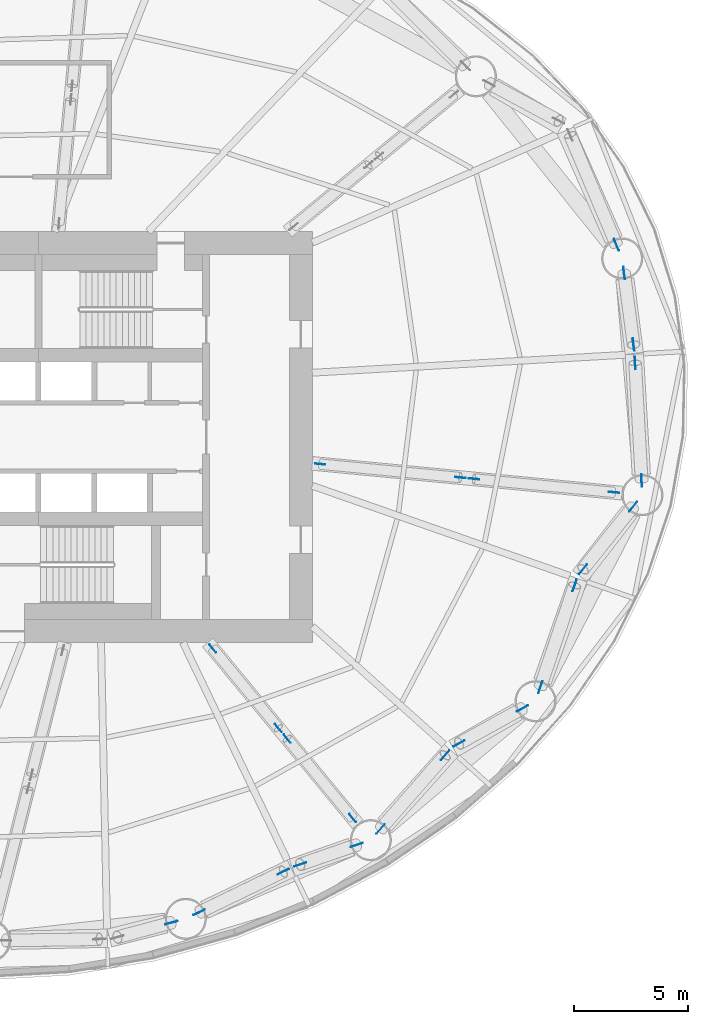
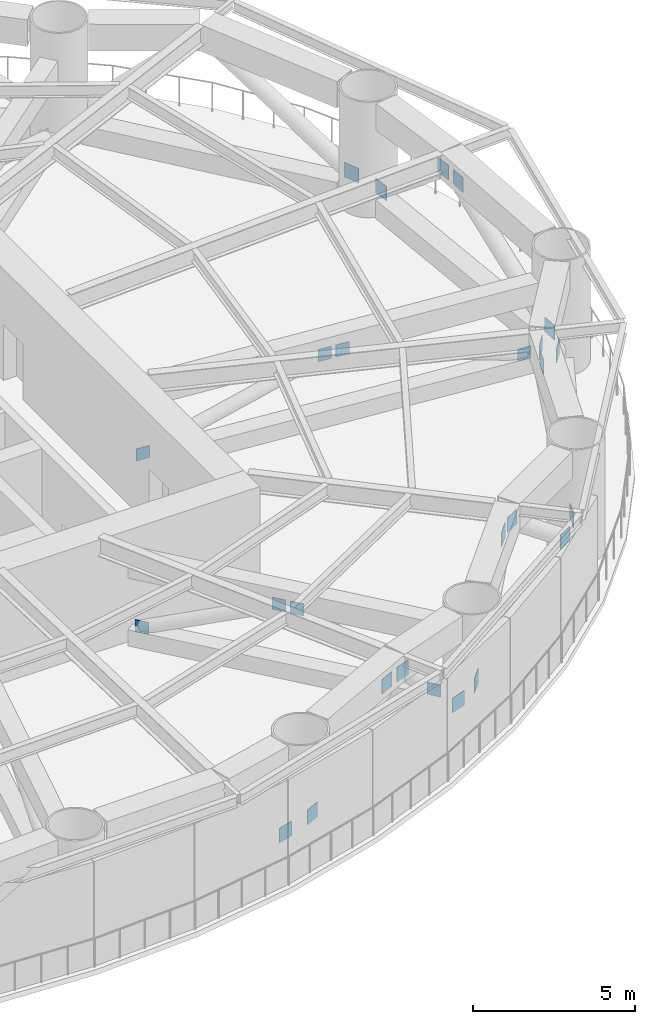
# One storey, part 10 of 15: 26 discrete accessories.
"""IFC4 building model written with IfcOpenShell, lengths in metres."""

from ifc_helpers import new_model, si_unit, direction, frame, origin, origin_2d, place, context, subcontext, project, spatial, rectangle, extrude, element, save


model = new_model("IFC4")

# Units and contexts
model_context = context("Model", 3, precision=1e-05, world=origin(), true_north=direction((0.0, 1.0)))
body_context = subcontext(model_context, "Body", "Model", "MODEL_VIEW")
ifc_project = project(units=[si_unit("LENGTHUNIT", "METRE"), si_unit("AREAUNIT", "SQUARE_METRE"), si_unit("VOLUMEUNIT", "CUBIC_METRE"), si_unit("PLANEANGLEUNIT", "RADIAN"), si_unit("MASSUNIT", "GRAM", prefix="KILO")], contexts=[model_context])

# Site, building, storey
site_placement = place(None, origin())
site = spatial("IfcSite", under=ifc_project, at=site_placement, CompositionType="ELEMENT")
building_placement = place(site_placement, origin())
building = spatial("IfcBuilding", under=site, at=building_placement, Name="Vermilion Reach Broadcast Tower", CompositionType="ELEMENT")
storey_placement = place(building_placement, frame((0.0, 0.0, 84.10009765625)))
storey = spatial("IfcBuildingStorey", under=building, at=storey_placement, Name="L18", CompositionType="ELEMENT", Elevation=84.10009765625)

# Discrete accessories
for number, where, z_axis, x_axis, name in (
    (1, (19.32275390625, 8.423095703125, 0.52490234375), (0.0, 0.0, 1.0), (-0.921430281897, -0.388543737052, 0.0), "Gusset plate BT1-D01A foot"),
    (2, (-0.17041015625, -21.276611328125, 0.52490234375), (0.0, 0.0, 1.0), (0.259159194295, -0.96583461939, 0.0), "Gusset plate BT1-D12B foot"),
    (3, (1.04248046875, -20.82470703125, 0.52490234375), (0.0, 0.0, 1.0), (-0.43595866628, 0.899966688992, 0.0), "Gusset plate BT1-D13A foot"),
    (4, (4.7314453125, -19.03759765625, 3.06494140625), (0.0, 0.0, 1.0), (-0.43595866628, 0.899966688992, 0.0), "Gusset plate BT1-D13A head"),
    (5, (7.948486328125, -17.87158203125, 0.52490234375), (0.0, 0.0, 1.0), (0.32510213662, -0.945678909971, 0.0), "Gusset plate BT1-D13B foot"),
    (6, (5.4677734375, -18.724609375, 3.06494140625), (0.0, 0.0, 1.0), (0.32510213662, -0.945678909971, 0.0), "Gusset plate BT1-D13B head"),
    (7, (8.9912109375, -17.171142578125, 0.52490234375), (0.0, 0.0, 1.0), (-0.752515051663, 0.658575050409, 0.0), "Gusset plate BT1-D14A foot"),
    (8, (11.81884765625, -13.9404296875, 3.06494140625), (0.0, 0.0, 1.0), (-0.752515051663, 0.658575050409, 0.0), "Gusset plate BT1-D14A head"),
    (9, (15.210693359375, -11.889892578125, 0.52490234375), (0.0, 0.0, 1.0), (0.483317945638, -0.875444894568, 0.0), "Gusset plate BT1-D14B foot"),
    (10, (12.430419921875, -13.4248046875, 3.06494140625), (0.0, 0.0, 1.0), (0.483317945638, -0.875444894568, 0.0), "Gusset plate BT1-D14B head"),
    (11, (15.98779296875, -10.9599609375, 0.52490234375), (0.0, 0.0, 1.0), (-0.947384355516, 0.320098239488, 0.0), "Gusset plate BT1-D15A foot"),
    (12, (17.494384765625, -6.500732421875, 3.06494140625), (0.0, 0.0, 1.0), (-0.947384355516, 0.320098239488, 0.0), "Gusset plate BT1-D15A head"),
    (13, (20.0576171875, -3.05078125, 0.52490234375), (0.0, 0.0, 1.0), (0.780437642706, -0.625233625014, 0.0), "Gusset plate BT1-D15B foot"),
    (14, (17.86279296875, -5.790771484375, 3.06494140625), (0.0, 0.0, 1.0), (0.780437642706, -0.625233625014, 0.0), "Gusset plate BT1-D15B head"),
    (15, (20.42822265625, -1.89453125, 0.52490234375), (0.0, 0.0, 1.0), (-0.998466029998, -0.055367742783, 0.0), "Gusset plate BT1-D16A foot"),
    (16, (20.14306640625, 3.24755859375, 3.06494140625), (0.0, 0.0, 1.0), (-0.998466029998, -0.055367742783, 0.0), "Gusset plate BT1-D16A head"),
    (17, (19.660400390625, 7.1796875, 0.52490234375), (0.0, 0.0, 1.0), (0.991386214187, 0.130970891115, 0.0), "Gusset plate BT1-D16B foot"),
    (18, (20.07470703125, 4.044677734375, 3.06494140625), (0.0, 0.0, 1.0), (0.991386214187, 0.130970891115, 0.0), "Gusset plate BT1-D16B head"),
):
    element("IfcDiscreteAccessory", number, at=place(storey_placement, frame(where, z_axis=z_axis, x_axis=x_axis)), inside=storey, Name=name, PredefinedType="NOTDEFINED", context=body_context, shape_type="SweptSolid", body=[
        extrude(rectangle(XDim=0.02490234375, YDim=0.550048828125, at=origin_2d()), origin(), (0.0, 0.0, 1.0), 0.550048828125),
    ])
for number, where, z_axis, x_axis, name in (
    (19, (1.644287109375, -9.27001953125, 0.371337890625), (0.0, 0.0, 1.0), (0.771515036005, 0.636211088569, 0.0), "Gusset plate OR1-14-DA foot"),
    (20, (4.515380859375, -12.75146484375, 2.3212890625), (0.0, 0.0, 1.0), (0.771515036005, 0.636211088569, 0.0), "Gusset plate OR1-14-DA head"),
    (21, (7.76806640625, -16.696044921875, 0.371337890625), (0.0, 0.0, 1.0), (0.771515036005, 0.636211088569, 0.0), "Gusset plate OR1-14-DB foot"),
    (22, (4.89697265625, -13.21435546875, 2.3212890625), (0.0, 0.0, 1.0), (0.771515036005, 0.636211088569, 0.0), "Gusset plate OR1-14-DB head"),
    (23, (6.348388671875, -1.186767578125, 0.371337890625), (0.0, 0.0, 1.0), (0.095672019792, 0.995412911625, 0.0), "Gusset plate OR1-16-DA foot"),
    (24, (12.485595703125, -1.776611328125, 2.3212890625), (0.0, 0.0, 1.0), (0.095672019792, 0.995412911625, 0.0), "Gusset plate OR1-16-DA head"),
    (25, (19.219970703125, -2.424072265625, 0.371337890625), (0.0, 0.0, 1.0), (0.095672019792, 0.995412911625, 0.0), "Gusset plate OR1-16-DB foot"),
    (26, (13.082763671875, -1.833984375, 2.3212890625), (0.0, 0.0, 1.0), (0.095672019792, 0.995412911625, 0.0), "Gusset plate OR1-16-DB head"),
):
    element("IfcDiscreteAccessory", number, at=place(storey_placement, frame(where, z_axis=z_axis, x_axis=x_axis)), inside=storey, Name=name, PredefinedType="NOTDEFINED", context=body_context, shape_type="SweptSolid", body=[
        extrude(rectangle(XDim=0.02490234375, YDim=0.45703125, at=origin_2d()), origin(), (0.0, 0.0, 1.0), 0.45703125),
    ])

save(model, "model.ifc")
